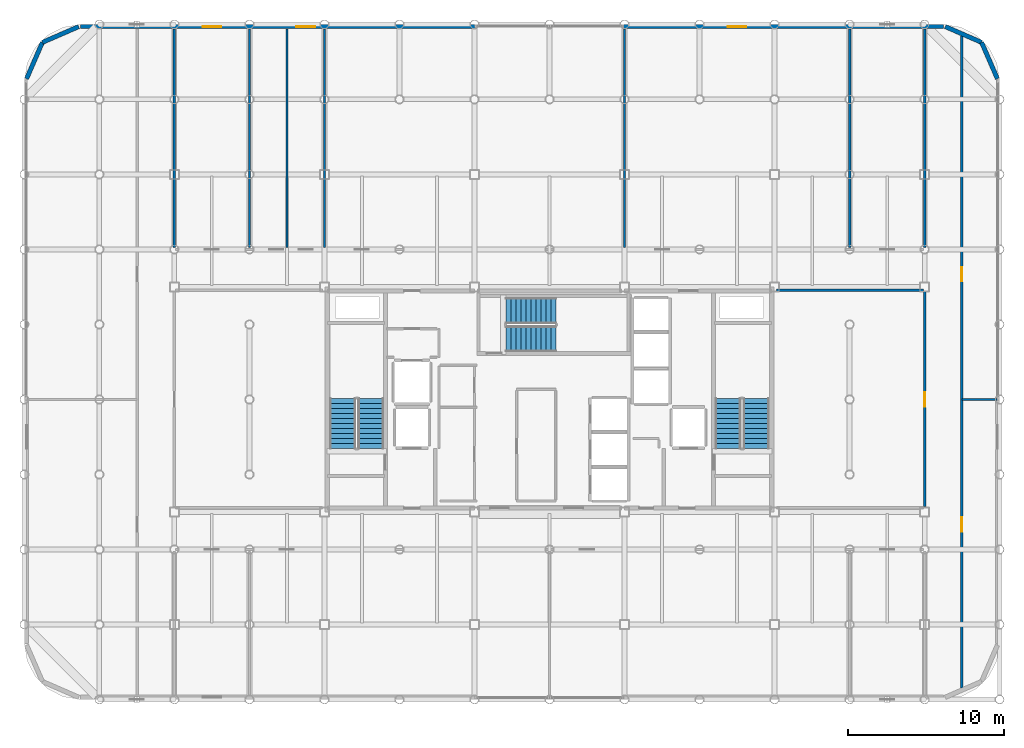
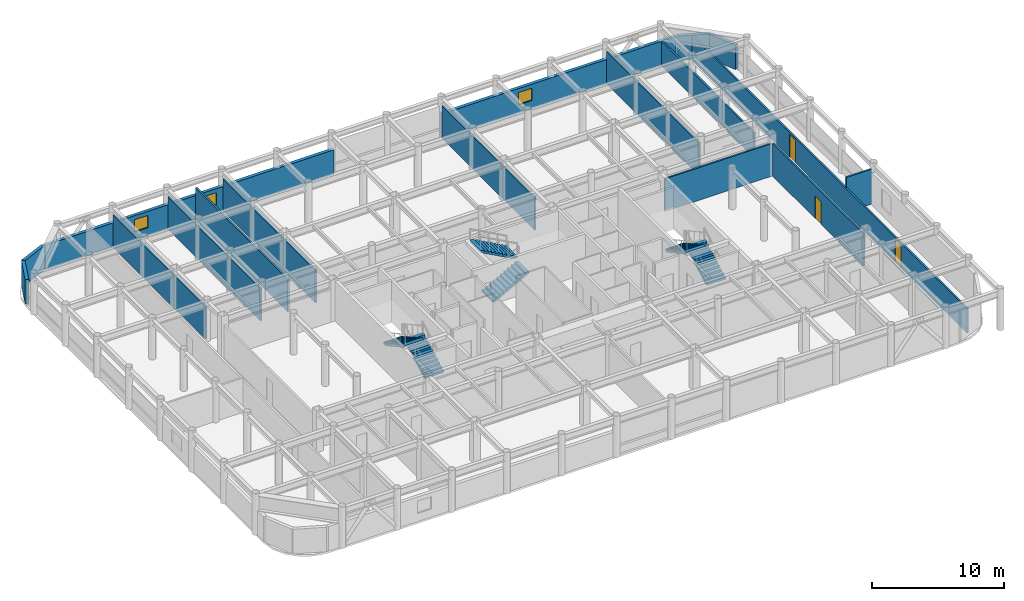
# One storey, part 20 of 21: 17 walls, 6 stair flights, 3 doors, 3 windows, 6 openings, 3 elements without a shape of their own.
"""IFC4 building model written with IfcOpenShell, lengths in metres."""

from ifc_helpers import new_model, si_unit, direction, frame, frame_2d, origin, place, context, subcontext, project, spatial, polyline, rectangle, outline, extrude, material, layer, layer_set, type_object, element, fill, aggregate, save


model = new_model("IFC4")

# Units and contexts
model_context = context("Model", 3, precision=1e-05, world=origin(), true_north=direction((0.0, 1.0)))
body_context = subcontext(model_context, "Body", "Model", "MODEL_VIEW")
ifc_project = project(units=[si_unit("LENGTHUNIT", "METRE"), si_unit("AREAUNIT", "SQUARE_METRE"), si_unit("VOLUMEUNIT", "CUBIC_METRE"), si_unit("PLANEANGLEUNIT", "RADIAN"), si_unit("MASSUNIT", "GRAM", prefix="KILO")], contexts=[model_context])

# Site, building, storey
site_placement = place(None, origin())
site = spatial("IfcSite", under=ifc_project, at=site_placement, CompositionType="ELEMENT")
building_placement = place(site_placement, origin())
building = spatial("IfcBuilding", under=site, at=building_placement, Name="Kallvorn Hotel Tower", CompositionType="ELEMENT")
storey_placement = place(building_placement, frame((0.0, 0.0, 268.5)))
storey = spatial("IfcBuildingStorey", under=building, at=storey_placement, Name="L67", CompositionType="ELEMENT", Elevation=268.5)

# Walls
ifc_material_1 = material(Name="Precast basalt-clad insulated concrete wall C40/50", Category="masonry")
ifc_layer_1 = layer(ifc_material_1, 0.280029296875)
ifc_layer_set_1 = layer_set([ifc_layer_1], Name="WL_EXT_LOGGIA_280")
wall_type_1 = type_object("IfcWallType", Name="WL_EXT_LOGGIA_280", PredefinedType="SOLIDWALL", material=ifc_layer_set_1)
wall_1_placement = place(storey_placement, frame((28.657958984375, 20.520751953125, 0.0), z_axis=(0.0, 0.0, 1.0), x_axis=(-0.398792985289, 0.917040977756, 0.0)))
element("IfcWall", 1, at=wall_1_placement, inside=storey, type_object=wall_type_1, Name="L67 Rounded Corner Exterior Wall NE1", PredefinedType="SOLIDWALL", context=body_context, shape_type="SweptSolid", body=[
    extrude(rectangle(XDim=2.536376953125, YDim=0.280029296875, at=frame_2d((1.26806640625, 0.0))), origin(), (0.0, 0.0, 1.0), 2.27001953125),
])
for number, where, z_axis, x_axis, name in (
    (2, (27.646484375, 22.8466796875, 0.0), (0.0, 0.0, 1.0), (-0.917060872934, 0.398747232384, 0.0), "L67 Rounded Corner Exterior Wall NE2"),
    (3, (-30.120849609375, 23.85791015625, 0.0), (0.0, 0.0, 1.0), (-0.917060872934, -0.398747232384, 0.0), "L67 Rounded Corner Exterior Wall NW1"),
):
    element("IfcWall", number, at=place(storey_placement, frame(where, z_axis=z_axis, x_axis=x_axis)), inside=storey, type_object=wall_type_1, Name=name, PredefinedType="SOLIDWALL", context=body_context, shape_type="SweptSolid", body=[
        extrude(rectangle(XDim=2.5361328125, YDim=0.280029296875, at=frame_2d((1.26806640625, 0.0))), origin(), (0.0, 0.0, 1.0), 2.27001953125),
    ])
wall_2_placement = place(storey_placement, frame((-32.446533203125, 22.8466796875, 0.0), z_axis=(0.0, 0.0, 1.0), x_axis=(-0.398792985289, -0.917040977756, 0.0)))
element("IfcWall", 4, at=wall_2_placement, inside=storey, type_object=wall_type_1, Name="L67 Rounded Corner Exterior Wall NW2", PredefinedType="SOLIDWALL", context=body_context, shape_type="SweptSolid", body=[
    extrude(rectangle(XDim=2.536376953125, YDim=0.280029296875, at=frame_2d((1.26806640625, 0.0))), origin(), (0.0, 0.0, 1.0), 2.27001953125),
])

# Wall, openings, windows
wall_3_placement = place(storey_placement, frame((-30.0, 23.860107421875, 0.0), z_axis=(0.0, 0.0, 1.0), x_axis=(1.0, 0.0, 0.0)))
wall_3 = element("IfcWall", 5, at=wall_3_placement, inside=storey, type_object=wall_type_1, Name="L67 Exterior Envelope Wall EW-L67-NW", PredefinedType="SOLIDWALL", context=body_context, shape_type="SweptSolid", body=[
    extrude(rectangle(XDim=25.25, YDim=0.280029296875, at=frame_2d((12.625, 0.0))), origin(), (0.0, 0.0, 1.0), 2.27001953125),
])
opening_1_placement = place(wall_3_placement, frame((7.800048828125, 0.0, 0.75)))
opening_1 = element("IfcOpeningElement", 6, at=opening_1_placement, cuts=wall_3, Name="Opening W06A", PredefinedType="OPENING", context=body_context, shape_type="SweptSolid", body=[
    extrude(rectangle(XDim=1.199951171875, YDim=1.14990234375, at=frame_2d((0.60009765625, 0.574951171875))), frame((0.0, 0.155029296875, 0.0), z_axis=(0.0, -1.0, 0.0), x_axis=(1.0, 0.0, 0.0)), (0.0, 0.0, 1.0), 0.31005859375),
])
opening_2_placement = place(wall_3_placement, frame((13.800048828125, 0.0, 0.75)))
opening_2 = element("IfcOpeningElement", 7, at=opening_2_placement, cuts=wall_3, Name="Opening W06A", PredefinedType="OPENING", context=body_context, shape_type="SweptSolid", body=[
    extrude(rectangle(XDim=1.199951171875, YDim=1.14990234375, at=frame_2d((0.60009765625, 0.574951171875))), frame((0.0, 0.155029296875, 0.0), z_axis=(0.0, -1.0, 0.0), x_axis=(1.0, 0.0, 0.0)), (0.0, 0.0, 1.0), 0.31005859375),
])
ifc_material_2 = material(Name="Triple-glazed low-e acoustic solar-control dark glass", Category="glass")
window_type = type_object("IfcWindowType", Name="WN_HTL_1200x1150", PartitioningType="SINGLE_PANEL", PredefinedType="WINDOW", material=ifc_material_2)
window_1_placement = place(opening_1_placement, origin())
window_1 = element("IfcWindow", 8, at=window_1_placement, inside=storey, type_object=window_type, Name="L67 Guestroom Exterior Window 02", OverallHeight=1.14990234375, OverallWidth=1.199951171875, PartitioningType="SINGLE_PANEL", PredefinedType="WINDOW", context=body_context, shape_type="SweptSolid", body=[
    extrude(rectangle(XDim=1.199951171875, YDim=1.14990234375, at=frame_2d((0.60009765625, 0.574951171875))), frame((0.0, 0.030029296875, 0.0), z_axis=(0.0, -1.0, 0.0), x_axis=(1.0, 0.0, 0.0)), (0.0, 0.0, 1.0), 0.06005859375),
])
fill(opening_1, window_1)
window_2_placement = place(opening_2_placement, origin())
window_2 = element("IfcWindow", 9, at=window_2_placement, inside=storey, type_object=window_type, Name="L67 Guestroom Exterior Window 05", OverallHeight=1.14990234375, OverallWidth=1.199951171875, PartitioningType="SINGLE_PANEL", PredefinedType="WINDOW", context=body_context, shape_type="SweptSolid", body=[
    extrude(rectangle(XDim=1.199951171875, YDim=1.14990234375, at=frame_2d((0.60009765625, 0.574951171875))), frame((0.0, 0.030029296875, 0.0), z_axis=(0.0, -1.0, 0.0), x_axis=(1.0, 0.0, 0.0)), (0.0, 0.0, 1.0), 0.06005859375),
])
fill(opening_2, window_2)

# Wall, opening, window
wall_4_placement = place(storey_placement, frame((4.75, 23.860107421875, 0.0), z_axis=(0.0, 0.0, 1.0), x_axis=(1.0, 0.0, 0.0)))
wall_4 = element("IfcWall", 10, at=wall_4_placement, inside=storey, type_object=wall_type_1, Name="L67 Exterior Envelope Wall EW-L67-NE", PredefinedType="SOLIDWALL", context=body_context, shape_type="SweptSolid", body=[
    extrude(rectangle(XDim=20.449951171875, YDim=0.280029296875, at=frame_2d((10.22509765625, 0.0))), origin(), (0.0, 0.0, 1.0), 2.27001953125),
])
opening_3_placement = place(wall_4_placement, frame((6.64990234375, 0.0, 0.75)))
opening_3 = element("IfcOpeningElement", 11, at=opening_3_placement, cuts=wall_4, Name="Opening W06A", PredefinedType="OPENING", context=body_context, shape_type="SweptSolid", body=[
    extrude(rectangle(XDim=1.199951171875, YDim=1.14990234375, at=frame_2d((0.60009765625, 0.574951171875))), frame((0.0, 0.155029296875, 0.0), z_axis=(0.0, -1.0, 0.0), x_axis=(1.0, 0.0, 0.0)), (0.0, 0.0, 1.0), 0.31005859375),
])
window_3_placement = place(opening_3_placement, origin())
window_3 = element("IfcWindow", 12, at=window_3_placement, inside=storey, type_object=window_type, Name="L67 Guestroom Exterior Window 06", OverallHeight=1.14990234375, OverallWidth=1.199951171875, PartitioningType="SINGLE_PANEL", PredefinedType="WINDOW", context=body_context, shape_type="SweptSolid", body=[
    extrude(rectangle(XDim=1.199951171875, YDim=1.14990234375, at=frame_2d((0.60009765625, 0.574951171875))), frame((0.0, 0.030029296875, 0.0), z_axis=(0.0, -1.0, 0.0), x_axis=(1.0, 0.0, 0.0)), (0.0, 0.0, 1.0), 0.06005859375),
])
fill(opening_3, window_3)

# Walls
ifc_material_3 = material(Name="Fire-rated double-layer acoustic gypsum drywall EI 60")
ifc_layer_2 = layer(ifc_material_3, 0.14990234375)
ifc_layer_set_2 = layer_set([ifc_layer_2], Name="WL_PART_150")
wall_type_2 = type_object("IfcWallType", Name="WL_PART_150", PredefinedType="PARTITIONING", material=ifc_layer_set_2)
wall_5_placement = place(storey_placement, frame((26.3798828125, 0.0, 0.0), z_axis=(0.0, 0.0, 1.0), x_axis=(1.0, 0.0, 0.0)))
element("IfcWall", 13, at=wall_5_placement, inside=storey, type_object=wall_type_2, Name="L67 L67 Outer East South Tasting Bar Partition", PredefinedType="PARTITIONING", context=body_context, shape_type="SweptSolid", body=[
    extrude(rectangle(XDim=2.25, YDim=0.14990234375, at=frame_2d((1.125, 0.0))), origin(), (0.0, 0.0, 1.0), 3.22998046875),
])
wall_6_placement = place(storey_placement, frame((14.52001953125, 6.97998046875, 0.0), z_axis=(0.0, 0.0, 1.0), x_axis=(1.0, 0.0, 0.0)))
element("IfcWall", 14, at=wall_6_placement, inside=storey, type_object=wall_type_2, Name="L67 L67 High-Zone Inner East Club Gallery Partition", PredefinedType="PARTITIONING", context=body_context, shape_type="SweptSolid", body=[
    extrude(rectangle(XDim=9.39990234375, YDim=0.14990234375, at=frame_2d((4.699951171875, 0.0))), origin(), (0.0, 0.0, 1.0), 3.02001953125),
])
for number, where, z_axis, x_axis, name in (
    (15, (-24.0, 9.719970703125, 0.0), (0.0, 0.0, 1.0), (0.0, 1.0, 0.0), "L67 L67 High-Zone North-West Reading Salon Partition"),
    (16, (-19.199951171875, 9.719970703125, 0.0), (0.0, 0.0, 1.0), (0.0, 1.0, 0.0), "L67 Housekeeping and Linen Room Partition"),
    (17, (-16.800048828125, 9.719970703125, 0.0), (0.0, 0.0, 1.0), (0.0, 1.0, 0.0), "L67 Guest Tea and Refreshment Bar Partition"),
    (18, (-14.39990234375, 9.719970703125, 0.0), (0.0, 0.0, 1.0), (0.0, 1.0, 0.0), "L67 Guest Tea and Refreshment Bar Partition"),
    (19, (4.800048828125, 9.719970703125, 0.0), (0.0, 0.0, 1.0), (0.0, 1.0, 0.0), "L67 L67 Haute Couture Design Retail Shop 3 Partition"),
    (20, (19.199951171875, 9.719970703125, 0.0), (0.0, 0.0, 1.0), (0.0, 1.0, 0.0), "L67 L67 Haute Couture Design Retail Shop 3 Partition"),
):
    element("IfcWall", number, at=place(storey_placement, frame(where, z_axis=z_axis, x_axis=x_axis)), inside=storey, type_object=wall_type_2, Name=name, PredefinedType="PARTITIONING", context=body_context, shape_type="SweptSolid", body=[
        extrude(rectangle(XDim=13.989990234375, YDim=0.14990234375, at=frame_2d((6.9951171875, 0.0))), origin(), (0.0, 0.0, 1.0), 3.02001953125),
    ])

# Wall, opening, door
wall_7_placement = place(storey_placement, frame((24.0, -6.8349609375, 0.0), z_axis=(0.0, 0.0, 1.0), x_axis=(0.0, 1.0, 0.0)))
wall_7 = element("IfcWall", 21, at=wall_7_placement, inside=storey, type_object=wall_type_2, Name="L67 L67 High-Zone Inner East Club Gallery Partition", PredefinedType="PARTITIONING", context=body_context, shape_type="SweptSolid", body=[
    extrude(rectangle(XDim=13.72998046875, YDim=0.14990234375, at=frame_2d((6.864990234375, 0.0))), origin(), (0.0, 0.0, 1.0), 3.02001953125),
])
opening_4_placement = place(wall_7_placement, frame((6.385009765625, 0.0, 0.0)))
opening_4 = element("IfcOpeningElement", 22, at=opening_4_placement, cuts=wall_7, Name="Opening SVD1", PredefinedType="OPENING", context=body_context, shape_type="SweptSolid", body=[
    extrude(rectangle(XDim=0.89990234375, YDim=2.10009765625, at=frame_2d((0.449951171875, 1.050048828125))), frame((0.0, 0.08984375, 0.0), z_axis=(0.0, -1.0, 0.0), x_axis=(1.0, 0.0, 0.0)), (0.0, 0.0, 1.0), 0.179931640625),
])
ifc_material_4 = material(Name="Galvanised painted steel fire-rated door assembly", Category="steel")
door_type = type_object("IfcDoorType", Name="DR_SERV_900x2100", OperationType="NOTDEFINED", PredefinedType="DOOR", material=ifc_material_4)
door_1_placement = place(opening_4_placement, origin())
door_1 = element("IfcDoor", 23, at=door_1_placement, inside=storey, type_object=door_type, Name="L67 L67 High-Zone Inner East Club Gallery Door", OperationType="SINGLE_SWING_RIGHT", OverallHeight=2.10009765625, OverallWidth=0.89990234375, PredefinedType="DOOR", context=body_context, shape_type="SweptSolid", body=[
    extrude(rectangle(XDim=0.89990234375, YDim=2.10009765625, at=frame_2d((0.449951171875, 1.050048828125))), frame((0.0, 0.02490234375, 0.0), z_axis=(0.0, -1.0, 0.0), x_axis=(1.0, 0.0, 0.0)), (0.0, 0.0, 1.0), 0.050048828125),
])
fill(opening_4, door_1)

# Wall
wall_8_placement = place(storey_placement, frame((24.0, 9.719970703125, 0.0), z_axis=(0.0, 0.0, 1.0), x_axis=(0.0, 1.0, 0.0)))
element("IfcWall", 24, at=wall_8_placement, inside=storey, type_object=wall_type_2, Name="L67 L67 High-Zone North-East Pastry Bar Partition", PredefinedType="PARTITIONING", context=body_context, shape_type="SweptSolid", body=[
    extrude(rectangle(XDim=13.989990234375, YDim=0.14990234375, at=frame_2d((6.9951171875, 0.0))), origin(), (0.0, 0.0, 1.0), 2.27001953125),
])

# Wall, openings, doors
wall_9_placement = place(storey_placement, frame((26.3798828125, -18.447265625, 0.0), z_axis=(0.0, 0.0, 1.0), x_axis=(0.0, 1.0, 0.0)))
wall_9 = element("IfcWall", 25, at=wall_9_placement, inside=storey, type_object=wall_type_2, Name="L67 L67 Outer East South Tasting Bar Partition", PredefinedType="PARTITIONING", context=body_context, shape_type="SweptSolid", body=[
    extrude(rectangle(XDim=41.694580078125, YDim=0.14990234375, at=frame_2d((20.84716796875, 0.0))), origin(), (0.0, 0.0, 1.0), 2.27001953125),
])
opening_5_placement = place(wall_9_placement, frame((9.997314453125, 0.0, 0.0)))
opening_5 = element("IfcOpeningElement", 26, at=opening_5_placement, cuts=wall_9, Name="Opening SVD1", PredefinedType="OPENING", context=body_context, shape_type="SweptSolid", body=[
    extrude(rectangle(XDim=0.89990234375, YDim=2.10009765625, at=frame_2d((0.449951171875, 1.050048828125))), frame((0.0, 0.08984375, 0.0), z_axis=(0.0, -1.0, 0.0), x_axis=(1.0, 0.0, 0.0)), (0.0, 0.0, 1.0), 0.179931640625),
])
opening_6_placement = place(wall_9_placement, frame((25.997314453125, 0.0, 0.0)))
opening_6 = element("IfcOpeningElement", 27, at=opening_6_placement, cuts=wall_9, Name="Opening SVD1", PredefinedType="OPENING", context=body_context, shape_type="SweptSolid", body=[
    extrude(rectangle(XDim=0.89990234375, YDim=2.10009765625, at=frame_2d((0.449951171875, 1.050048828125))), frame((0.0, 0.08984375, 0.0), z_axis=(0.0, -1.0, 0.0), x_axis=(1.0, 0.0, 0.0)), (0.0, 0.0, 1.0), 0.179931640625),
])
door_2_placement = place(opening_5_placement, origin())
door_2 = element("IfcDoor", 28, at=door_2_placement, inside=storey, type_object=door_type, Name="L67 L67 Outer East South Tasting Bar Door", OperationType="SINGLE_SWING_RIGHT", OverallHeight=2.10009765625, OverallWidth=0.89990234375, PredefinedType="DOOR", context=body_context, shape_type="SweptSolid", body=[
    extrude(rectangle(XDim=0.89990234375, YDim=2.10009765625, at=frame_2d((0.449951171875, 1.050048828125))), frame((0.0, 0.02490234375, 0.0), z_axis=(0.0, -1.0, 0.0), x_axis=(1.0, 0.0, 0.0)), (0.0, 0.0, 1.0), 0.050048828125),
])
fill(opening_5, door_2)
door_3_placement = place(opening_6_placement, origin())
door_3 = element("IfcDoor", 29, at=door_3_placement, inside=storey, type_object=door_type, Name="L67 L67 Outer East North Collectors Gallery Door", OperationType="SINGLE_SWING_LEFT", OverallHeight=2.10009765625, OverallWidth=0.89990234375, PredefinedType="DOOR", context=body_context, shape_type="SweptSolid", body=[
    extrude(rectangle(XDim=0.89990234375, YDim=2.10009765625, at=frame_2d((0.449951171875, 1.050048828125))), frame((0.0, 0.02490234375, 0.0), z_axis=(0.0, -1.0, 0.0), x_axis=(1.0, 0.0, 0.0)), (0.0, 0.0, 1.0), 0.050048828125),
])
fill(opening_6, door_3)

# Stair, stair flights
ifc_material_5 = material(Name="Precast concrete C40/50", Category="concrete")
stair_type = type_object("IfcStairType", Name="STR_CORE_DOGLEG", PredefinedType="HALF_TURN_STAIR", material=ifc_material_5)
stair_1_placement = place(storey_placement, origin())
stair_1 = element("IfcStair", 30, at=stair_1_placement, inside=storey, type_object=stair_type, Name="L67 Exit stair ST1", PredefinedType="HALF_TURN_STAIR")
ifc_material_6 = material(Name="Precast concrete C40/50", Category="concrete")
stair_flight_type = type_object("IfcStairFlightType", Name="FLT_CORE_1660", PredefinedType="STRAIGHT", material=ifc_material_6)
stair_flight_1_placement = place(storey_placement, frame((-11.429931640625, -3.139892578125, 0.0), z_axis=(0.0, 0.0, 1.0), x_axis=(0.0, 1.0, 0.0)))
stair_flight_1 = element("IfcStairFlight", 31, at=stair_flight_1_placement, type_object=stair_flight_type, Name="ST1 flight 1", NumberOfRisers=11, NumberOfTreads=10, PredefinedType="STRAIGHT", RiserHeight=0.175, TreadLength=0.32, context=body_context, shape_type="SweptSolid", body=[
    extrude(outline(polyline([(0.0, 0.0), (0.0, 0.175048828125), (0.320068359375, 0.175048828125), (0.320068359375, 0.35009765625), (0.639892578125, 0.35009765625), (0.639892578125, 0.52490234375), (0.9599609375, 0.52490234375), (0.9599609375, 0.699951171875), (1.280029296875, 0.699951171875), (1.280029296875, 0.875), (1.60009765625, 0.875), (1.60009765625, 1.050048828125), (1.919921875, 1.050048828125), (1.919921875, 1.22509765625), (2.239990234375, 1.22509765625), (2.239990234375, 1.39990234375), (2.56005859375, 1.39990234375), (2.56005859375, 1.574951171875), (2.8798828125, 1.574951171875), (2.8798828125, 1.75), (3.199951171875, 1.75), (3.199951171875, 1.925048828125), (3.199951171875, 1.5791015625), (0.3125, 0.0), (0.0, 0.0)])), frame((0.0, 0.830078125, 0.0), z_axis=(0.0, -1.0, 0.0), x_axis=(1.0, 0.0, 0.0)), (0.0, 0.0, 1.0), 1.659912109375),
])
stair_flight_2_placement = place(storey_placement, frame((-13.22998046875, 0.06005859375, 1.925048828125), z_axis=(0.0, 0.0, 1.0), x_axis=(0.0, -1.0, 0.0)))
stair_flight_2 = element("IfcStairFlight", 32, at=stair_flight_2_placement, type_object=stair_flight_type, Name="ST1 flight 2", NumberOfRisers=11, NumberOfTreads=10, PredefinedType="STRAIGHT", RiserHeight=0.175, TreadLength=0.32, context=body_context, shape_type="SweptSolid", body=[
    extrude(outline(polyline([(0.0, 0.0), (0.0, 0.175048828125), (0.320068359375, 0.175048828125), (0.320068359375, 0.35009765625), (0.639892578125, 0.35009765625), (0.639892578125, 0.52490234375), (0.9599609375, 0.52490234375), (0.9599609375, 0.699951171875), (1.280029296875, 0.699951171875), (1.280029296875, 0.875), (1.60009765625, 0.875), (1.60009765625, 1.050048828125), (1.919921875, 1.050048828125), (1.919921875, 1.22509765625), (2.239990234375, 1.22509765625), (2.239990234375, 1.39990234375), (2.56005859375, 1.39990234375), (2.56005859375, 1.574951171875), (2.8798828125, 1.574951171875), (2.8798828125, 1.75), (3.199951171875, 1.75), (3.199951171875, 1.925048828125), (3.199951171875, 1.5791015625), (0.3125, 0.0), (0.0, 0.0)])), frame((0.0, 0.830078125, 0.0), z_axis=(0.0, -1.0, 0.0), x_axis=(1.0, 0.0, 0.0)), (0.0, 0.0, 1.0), 1.659912109375),
])
aggregate(stair_1, [stair_flight_1, stair_flight_2])

stair_2_placement = place(storey_placement, origin())
stair_2 = element("IfcStair", 33, at=stair_2_placement, inside=storey, type_object=stair_type, Name="L67 Exit stair ST2", PredefinedType="HALF_TURN_STAIR")
stair_flight_3_placement = place(storey_placement, frame((13.22998046875, -3.139892578125, 0.0), z_axis=(0.0, 0.0, 1.0), x_axis=(0.0, 1.0, 0.0)))
stair_flight_3 = element("IfcStairFlight", 34, at=stair_flight_3_placement, type_object=stair_flight_type, Name="ST2 flight 1", NumberOfRisers=11, NumberOfTreads=10, PredefinedType="STRAIGHT", RiserHeight=0.175, TreadLength=0.32, context=body_context, shape_type="SweptSolid", body=[
    extrude(outline(polyline([(0.0, 0.0), (0.0, 0.175048828125), (0.320068359375, 0.175048828125), (0.320068359375, 0.35009765625), (0.639892578125, 0.35009765625), (0.639892578125, 0.52490234375), (0.9599609375, 0.52490234375), (0.9599609375, 0.699951171875), (1.280029296875, 0.699951171875), (1.280029296875, 0.875), (1.60009765625, 0.875), (1.60009765625, 1.050048828125), (1.919921875, 1.050048828125), (1.919921875, 1.22509765625), (2.239990234375, 1.22509765625), (2.239990234375, 1.39990234375), (2.56005859375, 1.39990234375), (2.56005859375, 1.574951171875), (2.8798828125, 1.574951171875), (2.8798828125, 1.75), (3.199951171875, 1.75), (3.199951171875, 1.925048828125), (3.199951171875, 1.5791015625), (0.3125, 0.0), (0.0, 0.0)])), frame((0.0, 0.830078125, 0.0), z_axis=(0.0, -1.0, 0.0), x_axis=(1.0, 0.0, 0.0)), (0.0, 0.0, 1.0), 1.659912109375),
])
stair_flight_4_placement = place(storey_placement, frame((11.429931640625, 0.06005859375, 1.925048828125), z_axis=(0.0, 0.0, 1.0), x_axis=(0.0, -1.0, 0.0)))
stair_flight_4 = element("IfcStairFlight", 35, at=stair_flight_4_placement, type_object=stair_flight_type, Name="ST2 flight 2", NumberOfRisers=11, NumberOfTreads=10, PredefinedType="STRAIGHT", RiserHeight=0.175, TreadLength=0.32, context=body_context, shape_type="SweptSolid", body=[
    extrude(outline(polyline([(0.0, 0.0), (0.0, 0.175048828125), (0.320068359375, 0.175048828125), (0.320068359375, 0.35009765625), (0.639892578125, 0.35009765625), (0.639892578125, 0.52490234375), (0.9599609375, 0.52490234375), (0.9599609375, 0.699951171875), (1.280029296875, 0.699951171875), (1.280029296875, 0.875), (1.60009765625, 0.875), (1.60009765625, 1.050048828125), (1.919921875, 1.050048828125), (1.919921875, 1.22509765625), (2.239990234375, 1.22509765625), (2.239990234375, 1.39990234375), (2.56005859375, 1.39990234375), (2.56005859375, 1.574951171875), (2.8798828125, 1.574951171875), (2.8798828125, 1.75), (3.199951171875, 1.75), (3.199951171875, 1.925048828125), (3.199951171875, 1.5791015625), (0.3125, 0.0), (0.0, 0.0)])), frame((0.0, 0.830078125, 0.0), z_axis=(0.0, -1.0, 0.0), x_axis=(1.0, 0.0, 0.0)), (0.0, 0.0, 1.0), 1.659912109375),
])
aggregate(stair_2, [stair_flight_3, stair_flight_4])

stair_3_placement = place(storey_placement, origin())
stair_3 = element("IfcStair", 36, at=stair_3_placement, inside=storey, type_object=stair_type, Name="L67 Exit stair ST3", PredefinedType="HALF_TURN_STAIR")
stair_flight_5_placement = place(storey_placement, frame((-2.7900390625, 3.8798828125, 0.0), z_axis=(0.0, 0.0, 1.0), x_axis=(1.0, 0.0, 0.0)))
stair_flight_5 = element("IfcStairFlight", 37, at=stair_flight_5_placement, type_object=stair_flight_type, Name="ST3 flight 1", NumberOfRisers=11, NumberOfTreads=10, PredefinedType="STRAIGHT", RiserHeight=0.175, TreadLength=0.32, context=body_context, shape_type="SweptSolid", body=[
    extrude(outline(polyline([(0.0, 0.0), (0.0, 0.175048828125), (0.320068359375, 0.175048828125), (0.320068359375, 0.35009765625), (0.639892578125, 0.35009765625), (0.639892578125, 0.52490234375), (0.9599609375, 0.52490234375), (0.9599609375, 0.699951171875), (1.280029296875, 0.699951171875), (1.280029296875, 0.875), (1.60009765625, 0.875), (1.60009765625, 1.050048828125), (1.919921875, 1.050048828125), (1.919921875, 1.22509765625), (2.239990234375, 1.22509765625), (2.239990234375, 1.39990234375), (2.56005859375, 1.39990234375), (2.56005859375, 1.574951171875), (2.8798828125, 1.574951171875), (2.8798828125, 1.75), (3.199951171875, 1.75), (3.199951171875, 1.925048828125), (3.199951171875, 1.5791015625), (0.3125, 0.0), (0.0, 0.0)])), frame((0.0, 0.830078125, 0.0), z_axis=(0.0, -1.0, 0.0), x_axis=(1.0, 0.0, 0.0)), (0.0, 0.0, 1.0), 1.659912109375),
])
stair_flight_6_placement = place(storey_placement, frame((0.409912109375, 5.679931640625, 1.925048828125), z_axis=(0.0, 0.0, 1.0), x_axis=(-1.0, 0.0, 0.0)))
stair_flight_6 = element("IfcStairFlight", 38, at=stair_flight_6_placement, type_object=stair_flight_type, Name="ST3 flight 2", NumberOfRisers=11, NumberOfTreads=10, PredefinedType="STRAIGHT", RiserHeight=0.175, TreadLength=0.32, context=body_context, shape_type="SweptSolid", body=[
    extrude(outline(polyline([(0.0, 0.0), (0.0, 0.175048828125), (0.320068359375, 0.175048828125), (0.320068359375, 0.35009765625), (0.639892578125, 0.35009765625), (0.639892578125, 0.52490234375), (0.9599609375, 0.52490234375), (0.9599609375, 0.699951171875), (1.280029296875, 0.699951171875), (1.280029296875, 0.875), (1.60009765625, 0.875), (1.60009765625, 1.050048828125), (1.919921875, 1.050048828125), (1.919921875, 1.22509765625), (2.239990234375, 1.22509765625), (2.239990234375, 1.39990234375), (2.56005859375, 1.39990234375), (2.56005859375, 1.574951171875), (2.8798828125, 1.574951171875), (2.8798828125, 1.75), (3.199951171875, 1.75), (3.199951171875, 1.925048828125), (3.199951171875, 1.5791015625), (0.3125, 0.0), (0.0, 0.0)])), frame((0.0, 0.830078125, 0.0), z_axis=(0.0, -1.0, 0.0), x_axis=(1.0, 0.0, 0.0)), (0.0, 0.0, 1.0), 1.659912109375),
])
aggregate(stair_3, [stair_flight_5, stair_flight_6])

save(model, "model.ifc")
